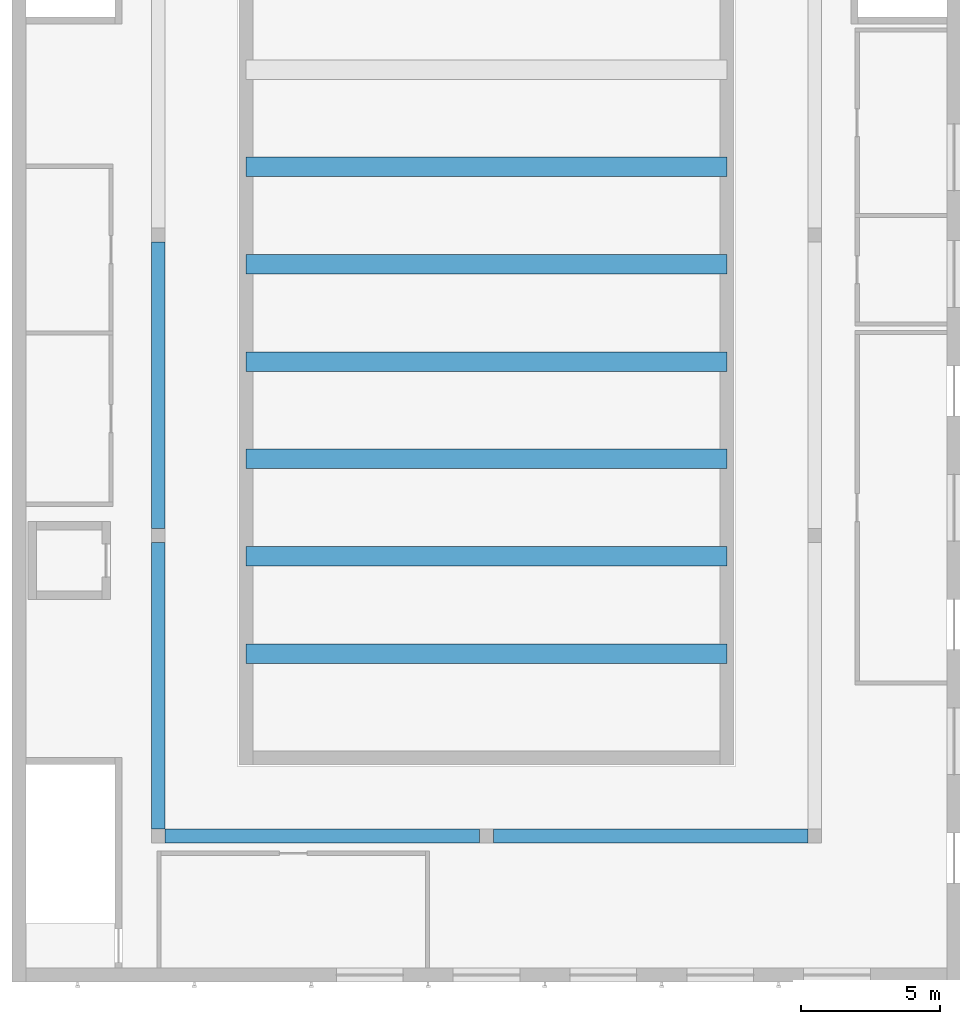
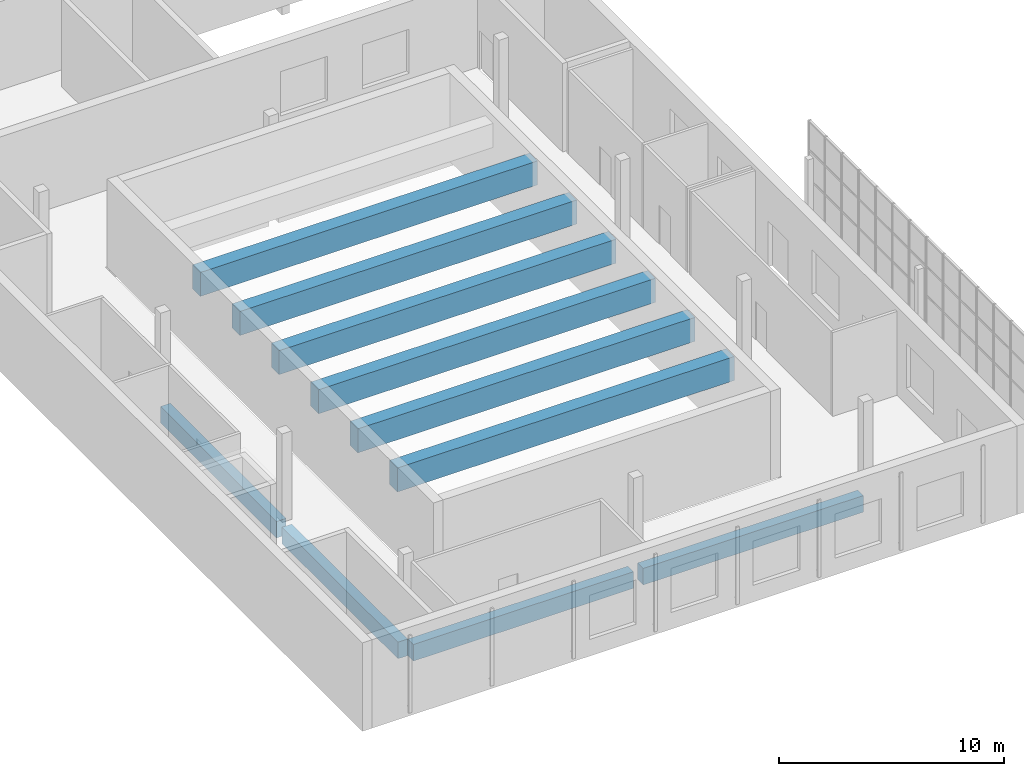
# One storey, part 15 of 116: 10 beams.
"""IFC4 building model written with IfcOpenShell, lengths in metres."""

from ifc_helpers import new_model, si_unit, direction, frame, origin, origin_2d, place, context, subcontext, project, spatial, rectangle, extrude, material, material_profile, profile_set, type_object, element, save


model = new_model("IFC4")

# Units and contexts
model_context = context("Model", 3, precision=1e-05, world=origin(), true_north=direction((0.0, 1.0)))
body_context = subcontext(model_context, "Body", "Model", "MODEL_VIEW")
ifc_project = project(units=[si_unit("LENGTHUNIT", "METRE"), si_unit("AREAUNIT", "SQUARE_METRE"), si_unit("VOLUMEUNIT", "CUBIC_METRE"), si_unit("PLANEANGLEUNIT", "RADIAN"), si_unit("MASSUNIT", "GRAM", prefix="KILO")], contexts=[model_context])

# Site, building, storey
site_placement = place(None, origin())
site = spatial("IfcSite", under=ifc_project, at=site_placement, CompositionType="ELEMENT")
building_placement = place(site_placement, origin())
building = spatial("IfcBuilding", under=site, at=building_placement, Name="Ljudholm Concert House", CompositionType="ELEMENT")
storey_placement = place(building_placement, frame((0.0, 0.0, 10.199951171875)))
storey = spatial("IfcBuildingStorey", under=building, at=storey_placement, Name="L02", CompositionType="ELEMENT", Elevation=10.199951171875)

# Beams
ifc_material_1 = material(Name="Concrete 6,500 psi", Category="concrete")
ifc_material_profile_1 = material_profile(ifc_material_1, rectangle(XDim=0.5, YDim=0.89990234375, at=origin_2d()), Name="RC BEAM 500x900")
ifc_profile_set_1 = profile_set([ifc_material_profile_1], Name="Concrete 6,500 psi")
beam_type_1 = type_object("IfcBeamType", Name="RC BEAM 500x900", PredefinedType="BEAM", material=ifc_profile_set_1)
for number, where, z_axis, x_axis, name in (
    (1, (17.64990234375, 9.0, -0.699951171875), (1.0, 0.0, 0.0), (0.0, 1.0, 0.0), "Ring beam"),
    (2, (29.449951171875, 9.0, -0.699951171875), (1.0, 0.0, 0.0), (0.0, 1.0, 0.0), "Ring beam"),
):
    element("IfcBeam", number, at=place(storey_placement, frame(where, z_axis=z_axis, x_axis=x_axis)), inside=storey, type_object=beam_type_1, Name=name, PredefinedType="BEAM", context=body_context, shape_type="SweptSolid", body=[
        extrude(rectangle(XDim=0.5, YDim=0.89990234375, at=origin_2d()), origin(), (0.0, 0.0, 1.0), 11.300048828125),
    ])
for number, where, z_axis, x_axis, name in (
    (3, (17.39990234375, 9.25, -0.699951171875), (0.0, 1.0, 0.0), (-1.0, 0.0, 0.0), "Ring beam"),
    (4, (17.39990234375, 20.050048828125, -0.699951171875), (0.0, 1.0, 0.0), (-1.0, 0.0, 0.0), "Ring beam"),
):
    element("IfcBeam", number, at=place(storey_placement, frame(where, z_axis=z_axis, x_axis=x_axis)), inside=storey, type_object=beam_type_1, Name=name, PredefinedType="BEAM", context=body_context, shape_type="SweptSolid", body=[
        extrude(rectangle(XDim=0.5, YDim=0.89990234375, at=origin_2d()), origin(), (0.0, 0.0, 1.0), 10.300048828125),
    ])
ifc_material_2 = material(Name="Concrete 6,500 psi", Category="concrete")
ifc_material_profile_2 = material_profile(ifc_material_2, rectangle(XDim=0.699951171875, YDim=1.300048828125, at=origin_2d()), Name="RC BEAM 700x1300 BEAM")
ifc_profile_set_2 = profile_set([ifc_material_profile_2], Name="Concrete 6,500 psi")
beam_type_2 = type_object("IfcBeamType", Name="RC BEAM 700x1300 BEAM", PredefinedType="BEAM", material=ifc_profile_set_2)
for number, where, z_axis, x_axis, name in (
    (5, (20.550048828125, 15.550048828125, 3.75), (1.0, 0.0, 0.0), (0.0, 1.0, 0.0), "Post-tensioned roof girder"),
    (6, (20.550048828125, 19.050048828125, 3.75), (1.0, 0.0, 0.0), (0.0, 1.0, 0.0), "Post-tensioned roof girder"),
    (7, (20.550048828125, 22.550048828125, 3.75), (1.0, 0.0, 0.0), (0.0, 1.0, 0.0), "Post-tensioned roof girder"),
    (8, (20.550048828125, 26.050048828125, 3.75), (1.0, 0.0, 0.0), (0.0, 1.0, 0.0), "Post-tensioned roof girder"),
    (9, (20.550048828125, 29.550048828125, 3.75), (1.0, 0.0, 0.0), (0.0, 1.0, 0.0), "Post-tensioned roof girder"),
    (10, (20.550048828125, 33.050048828125, 3.75), (1.0, 0.0, 0.0), (0.0, 1.0, 0.0), "Post-tensioned roof girder"),
):
    element("IfcBeam", number, at=place(storey_placement, frame(where, z_axis=z_axis, x_axis=x_axis)), inside=storey, type_object=beam_type_2, Name=name, PredefinedType="BEAM", context=body_context, shape_type="SweptSolid", body=[
        extrude(rectangle(XDim=0.699951171875, YDim=1.300048828125, at=origin_2d()), origin(), (0.0, 0.0, 1.0), 17.300048828125),
    ])

save(model, "model.ifc")
